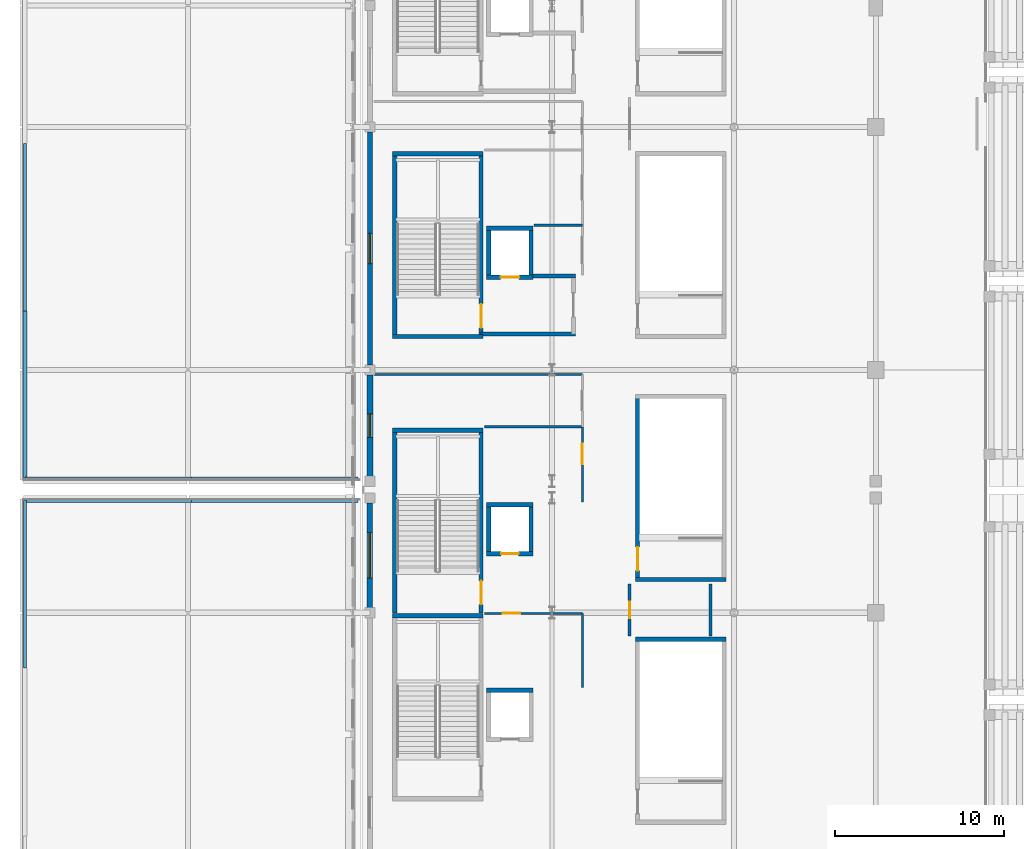
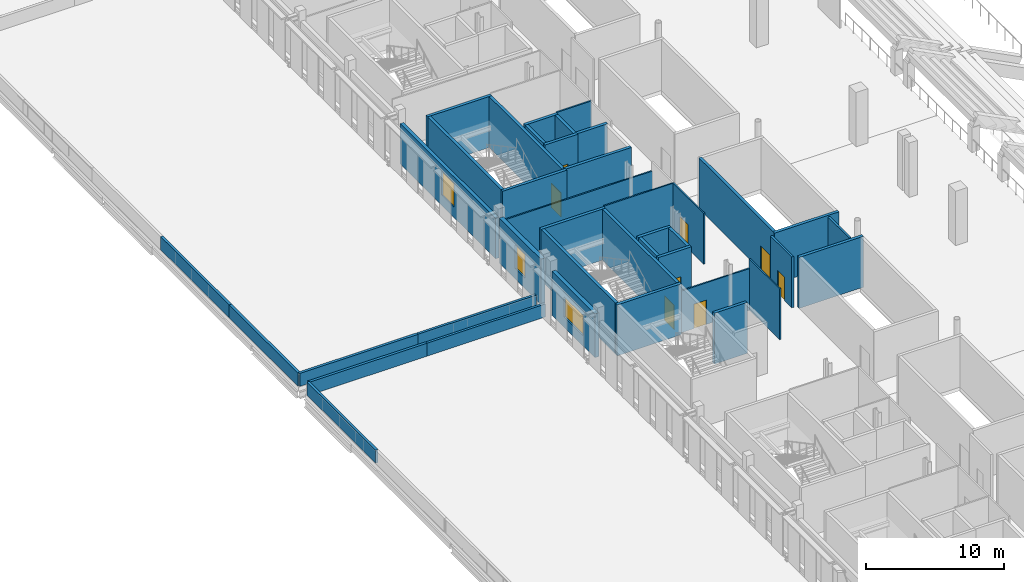
# One storey, part 32 of 74: 40 walls, 8 doors, 3 windows, 11 openings.
"""IFC4 building model written with IfcOpenShell, lengths in metres."""

import ifcopenshell
import ifcopenshell.guid

model = None  # the IFC model being written
_history = None  # IfcOwnerHistory: only IFC2X3 demands one
_inside = {}  # id of a spatial element -> (the spatial element, [elements in it])
_under = {}  # id of a project, library or spatial element -> (it, [spatial elements below it])
_declared = {}  # id of a project -> (the project, [libraries it declares])
_typed = {}  # id of a type object -> (the type object, [elements of that type])
_made_of = {}  # id of a material, layer set ... -> (it, [elements and type objects made of it])


def new_model(schema):
    """Start an empty IFC model of exactly this schema.

    Asked for "IFC4X3", IfcOpenShell would pick the latest addendum, in which some entities
    have other attributes; the version numbers below select the first issue.
    IFC2X3 requires an IfcOwnerHistory on every rooted entity: one is made here for all.
    """
    global model, _history
    if schema == "IFC4X3":
        model = ifcopenshell.file(schema_version=(4, 3, 0, 0))
    else:
        model = ifcopenshell.file(schema=schema)
    _inside.clear()
    _under.clear()
    _declared.clear()
    _typed.clear()
    _made_of.clear()
    _history = None
    if model.schema == "IFC2X3":
        org = make("IfcOrganization", Name="unknown")
        user = make(
            "IfcPersonAndOrganization",
            ThePerson=make("IfcPerson", FamilyName="unknown"),
            TheOrganization=org,
        )
        app = make(
            "IfcApplication",
            ApplicationDeveloper=org,
            Version="unknown",
            ApplicationFullName="unknown",
            ApplicationIdentifier="unknown",
        )
        _history = make(
            "IfcOwnerHistory",
            OwningUser=user,
            OwningApplication=app,
            ChangeAction="ADDED",
            CreationDate=0,
        )
    return model


def make(cls, **values):
    """One entity of the class cls with the attributes given. An attribute that is None is left unset."""
    return model.create_entity(
        cls, **{name: value for name, value in values.items() if value is not None}
    )


def rooted(cls, **values):
    """An entity with a GlobalId (a new one), such as an element, a storey or a relation."""
    return make(cls, GlobalId=ifcopenshell.guid.new(), OwnerHistory=_history, **values)


def si_unit(unit_type, name, prefix=None):
    """IfcSIUnit, for example si_unit("LENGTHUNIT", "METRE", prefix="MILLI")."""
    return make("IfcSIUnit", UnitType=unit_type, Prefix=prefix, Name=name)


def assignment(units):
    """IfcUnitAssignment: the units of a project."""
    return None if units is None else make("IfcUnitAssignment", Units=units)


def point(xyz):
    """IfcCartesianPoint."""
    return None if xyz is None else make("IfcCartesianPoint", Coordinates=xyz)


def direction(xyz):
    """IfcDirection."""
    return None if xyz is None else make("IfcDirection", DirectionRatios=xyz)


def frame(location, z_axis=None, x_axis=None):
    """IfcAxis2Placement3D, a coordinate frame: its origin and axes. An axis left out is left unset."""
    return make(
        "IfcAxis2Placement3D",
        Location=point(location),
        Axis=direction(z_axis),
        RefDirection=direction(x_axis),
    )


def frame_2d(location, x_axis=None):
    """IfcAxis2Placement2D, a coordinate frame in the plane: its origin and x axis."""
    return make(
        "IfcAxis2Placement2D", Location=point(location), RefDirection=direction(x_axis)
    )


def origin():
    """The frame at (0, 0, 0) with its axes left unset."""
    return frame((0.0, 0.0, 0.0))


def place(relative_to, where):
    """IfcLocalPlacement: puts the frame where relative to a parent placement (None: the world)."""
    return make(
        "IfcLocalPlacement", PlacementRelTo=relative_to, RelativePlacement=where
    )


def context(
    kind, dimensions, precision=None, world=None, true_north=None, identifier=None
):
    """IfcGeometricRepresentationContext, for example the 3D "Model" context."""
    return make(
        "IfcGeometricRepresentationContext",
        ContextIdentifier=identifier,
        ContextType=kind,
        CoordinateSpaceDimension=dimensions,
        Precision=precision,
        WorldCoordinateSystem=world,
        TrueNorth=true_north,
    )


def subcontext(parent, identifier, kind, view, scale=None):
    """IfcGeometricRepresentationSubContext, for example "Body" below "Model"."""
    return make(
        "IfcGeometricRepresentationSubContext",
        ContextIdentifier=identifier,
        ContextType=kind,
        ParentContext=parent,
        TargetScale=scale,
        TargetView=view,
    )


def project(units=None, contexts=None):
    """IfcProject with its units and contexts."""
    return rooted(
        "IfcProject",
        Name="project",
        RepresentationContexts=contexts,
        UnitsInContext=assignment(units),
    )


def spatial(cls, under=None, at=None, **own):
    """A site, building, storey or space (cls), placed at a placement, below another one or the project."""
    s = rooted(cls, ObjectPlacement=at, **own)
    if under is not None:
        _under.setdefault(under.id(), (under, []))[1].append(s)
    return s


def profile(cls, at=None, kind="AREA", **sizes):
    """A parametric profile (cls). Its sizes go by their IFC names, for example OverallWidth=200.0."""
    return make(cls, ProfileType=kind, Position=at, **sizes)


def rectangle(**sizes):
    """IfcRectangleProfileDef."""
    return profile("IfcRectangleProfileDef", **sizes)


def extrude(swept, where, along, depth):
    """IfcExtrudedAreaSolid: the profile swept, set in the frame where, extruded along a direction by depth."""
    return make(
        "IfcExtrudedAreaSolid",
        SweptArea=swept,
        Position=where,
        ExtrudedDirection=direction(along),
        Depth=depth,
    )


def shape(context_of_items, identifier, shape_type, items):
    """IfcShapeRepresentation: the items that make up one representation, for example the "Body"."""
    return make(
        "IfcShapeRepresentation",
        ContextOfItems=context_of_items,
        RepresentationIdentifier=identifier,
        RepresentationType=shape_type,
        Items=items,
    )


def material(Name=None, Category=None):
    """IfcMaterial."""
    return make("IfcMaterial", Name=Name, Category=Category)


def layer(
    of_material, thickness, ventilated=None, Name=None, Category=None, Priority=None
):
    """IfcMaterialLayer: one layer of a wall or slab, of a material (None: an air gap)."""
    return make(
        "IfcMaterialLayer",
        Material=of_material,
        LayerThickness=thickness,
        IsVentilated=ventilated,
        Name=Name,
        Category=Category,
        Priority=Priority,
    )


def layer_set(layers, Name=None):
    """IfcMaterialLayerSet."""
    return make("IfcMaterialLayerSet", MaterialLayers=layers, LayerSetName=Name)


def made_of(thing, what):
    """Note that an element or type object is made of a material, layer set ...; save() writes the relation."""
    if what is not None:
        _made_of.setdefault(what.id(), (what, []))[1].append(thing)
    return thing


def type_object(cls, material=None, **own):
    """A type object (cls), such as IfcWallType, which elements share."""
    return made_of(rooted(cls, **own), material)


def element(
    cls,
    number,
    at=None,
    inside=None,
    cuts=None,
    type_object=None,
    material=None,
    context=None,
    identifier="Body",
    shape_type=None,
    held_by="IfcProductDefinitionShape",
    body=None,
    shapes=None,
    **own,
):
    """One element of the class cls, such as IfcWall. Its Tag is "e" and its number.

    at: its placement. inside: the storey or other place that contains it. cuts: it is an
    opening in that element (IfcRelVoidsElement). A single representation is given by context,
    identifier, shape_type and body (its items); several are given by shapes. held_by: the class
    of the entity that holds the representations. save() writes the other relations.
    """
    e = rooted(cls, Tag="e%d" % number, ObjectPlacement=at, **own)
    if body is not None:
        shapes = [shape(context, identifier, shape_type, body)]
    if shapes is not None:
        e.Representation = make(held_by, Representations=shapes)
    if inside is not None:
        _inside.setdefault(inside.id(), (inside, []))[1].append(e)
    if cuts is not None:
        rooted(
            "IfcRelVoidsElement", RelatingBuildingElement=cuts, RelatedOpeningElement=e
        )
    if type_object is not None:
        _typed.setdefault(type_object.id(), (type_object, []))[1].append(e)
    return made_of(e, material)


def fill(opening, filler):
    """IfcRelFillsElement: the door or window that sits in an opening."""
    return rooted(
        "IfcRelFillsElement",
        RelatingOpeningElement=opening,
        RelatedBuildingElement=filler,
    )


def aggregate(whole, parts):
    """IfcRelAggregates: a whole, such as a stair, and the parts it consists of."""
    return rooted("IfcRelAggregates", RelatingObject=whole, RelatedObjects=parts)


def save(model, path):
    """Write the relations noted so far, then the file.

    IfcRelAggregates (storeys below a building ...), IfcRelContainedInSpatialStructure (elements
    in a storey), IfcRelDefinesByType, IfcRelAssociatesMaterial and IfcRelDeclares: one each for
    every whole, place, type object, material and project.
    """
    for whole, parts in _under.values():
        aggregate(whole, parts)
    for where, things in _inside.values():
        rooted(
            "IfcRelContainedInSpatialStructure",
            RelatedElements=things,
            RelatingStructure=where,
        )
    for kind, things in _typed.values():
        rooted("IfcRelDefinesByType", RelatedObjects=things, RelatingType=kind)
    for what, things in _made_of.values():
        rooted("IfcRelAssociatesMaterial", RelatedObjects=things, RelatingMaterial=what)
    for by, libraries in _declared.values():
        rooted("IfcRelDeclares", RelatingContext=by, RelatedDefinitions=libraries)
    model.write(path)


model = new_model("IFC4")

# Units and contexts
model_context = context("Model", 3, precision=1e-05, world=origin(), true_north=direction((0.0, 1.0)))
body_context = subcontext(model_context, "Body", "Model", "MODEL_VIEW")
ifc_project = project(units=[si_unit("LENGTHUNIT", "METRE"), si_unit("AREAUNIT", "SQUARE_METRE"), si_unit("VOLUMEUNIT", "CUBIC_METRE"), si_unit("PLANEANGLEUNIT", "RADIAN"), si_unit("MASSUNIT", "GRAM", prefix="KILO")], contexts=[model_context])

# Site, building, storey
site_placement = place(None, origin())
site = spatial("IfcSite", under=ifc_project, at=site_placement, CompositionType="ELEMENT")
building_placement = place(site_placement, origin())
building = spatial("IfcBuilding", under=site, at=building_placement, Name="Koshinbarg Plaza Stadium", CompositionType="ELEMENT")
storey_placement = place(building_placement, frame((0.0, 0.0, 15.0)))
storey = spatial("IfcBuildingStorey", under=building, at=storey_placement, Name="L03", CompositionType="ELEMENT", Elevation=15.0)

# Walls
ifc_material_1 = material(Name="Concrete C40/50", Category="concrete")
ifc_layer_1 = layer(ifc_material_1, 0.25)
ifc_layer_set_1 = layer_set([ifc_layer_1], Name="Concrete C40/50")
wall_type_1 = type_object("IfcWallType", Name="WL-CORE-250", PredefinedType="SHEAR", material=ifc_layer_set_1)
for number, where, z_axis, x_axis, name in (
    (1, (31.320068359375, 68.52490234375, 0.0), (0.0, 0.0, 1.0), (-1.0, 0.0, 0.0), "L03 core stair shear wall C03-far IWL-L03-0070"),
    (2, (31.320068359375, 79.52490234375, 0.0), (0.0, 0.0, 1.0), (-1.0, 0.0, 0.0), "L03 core stair shear wall C04-far IWL-L03-0094"),
):
    element("IfcWall", number, at=place(storey_placement, frame(where, z_axis=z_axis, x_axis=x_axis)), inside=storey, type_object=wall_type_1, Name=name, PredefinedType="SHEAR", context=body_context, shape_type="SweptSolid", body=[
        extrude(rectangle(XDim=5.3701171875, YDim=0.25, at=frame_2d((2.68505859375, 0.0))), origin(), (0.0, 0.0, 1.0), 4.5),
    ])
wall_1_placement = place(storey_placement, frame((26.074951171875, 68.675048828125, 0.0), z_axis=(0.0, 0.0, 1.0), x_axis=(0.0, 1.0, 0.0)))
element("IfcWall", 3, at=wall_1_placement, inside=storey, type_object=wall_type_1, Name="L03 core stair shear wall C04-left IWL-L03-0095", PredefinedType="SHEAR", context=body_context, shape_type="SweptSolid", body=[
    extrude(rectangle(XDim=10.849853515625, YDim=0.25, at=frame_2d((5.4248046875, 0.0))), origin(), (0.0, 0.0, 1.0), 4.5),
])

# Wall, opening, door
wall_2_placement = place(storey_placement, frame((31.195068359375, 68.675048828125, 0.0), z_axis=(0.0, 0.0, 1.0), x_axis=(0.0, 1.0, 0.0)))
wall_2 = element("IfcWall", 4, at=wall_2_placement, inside=storey, type_object=wall_type_1, Name="L03 core stair shear wall C04-right IWL-L03-0096", PredefinedType="SHEAR", context=body_context, shape_type="SweptSolid", body=[
    extrude(rectangle(XDim=10.849853515625, YDim=0.25, at=frame_2d((5.4248046875, 0.0))), origin(), (0.0, 0.0, 1.0), 4.5),
])
opening_1_placement = place(wall_2_placement, frame((0.52001953125, 0.0, 0.0)))
opening_1 = element("IfcOpeningElement", 5, at=opening_1_placement, cuts=wall_2, Name="Opening D-0085", PredefinedType="OPENING", context=body_context, shape_type="SweptSolid", body=[
    extrude(rectangle(XDim=1.39990234375, YDim=2.14990234375, at=frame_2d((0.699951171875, 1.074951171875))), frame((0.0, 0.135009765625, 0.0), z_axis=(0.0, -1.0, 0.0), x_axis=(1.0, 0.0, 0.0)), (0.0, 0.0, 1.0), 0.27001953125),
])
ifc_material_2 = material(Name="Painted galvanized steel fire door", Category="steel")
door_type_1 = type_object("IfcDoorType", Name="DR-STAIR-1400", OperationType="NOTDEFINED", PredefinedType="DOOR", material=ifc_material_2)
door_1_placement = place(opening_1_placement, origin())
door_1 = element("IfcDoor", 6, at=door_1_placement, inside=storey, type_object=door_type_1, Name="L03 exit stair door C04", OperationType="SINGLE_SWING_RIGHT", OverallHeight=2.14990234375, OverallWidth=1.39990234375, PredefinedType="DOOR", context=body_context, shape_type="SweptSolid", body=[
    extrude(rectangle(XDim=1.39990234375, YDim=2.14990234375, at=frame_2d((0.699951171875, 1.074951171875))), frame((0.0, 0.02490234375, 0.0), z_axis=(0.0, -1.0, 0.0), x_axis=(1.0, 0.0, 0.0)), (0.0, 0.0, 1.0), 0.050048828125),
])
fill(opening_1, door_1)

# Walls
for number, where, z_axis, x_axis, name in (
    (7, (25.949951171875, 85.074951171875, 0.0), (0.0, 0.0, 1.0), (1.0, 0.0, 0.0), "L03 core stair shear wall C05-near IWL-L03-0118"),
    (8, (31.320068359375, 95.925048828125, 0.0), (0.0, 0.0, 1.0), (-1.0, 0.0, 0.0), "L03 core stair shear wall C05-far IWL-L03-0119"),
):
    element("IfcWall", number, at=place(storey_placement, frame(where, z_axis=z_axis, x_axis=x_axis)), inside=storey, type_object=wall_type_1, Name=name, PredefinedType="SHEAR", context=body_context, shape_type="SweptSolid", body=[
        extrude(rectangle(XDim=5.3701171875, YDim=0.25, at=frame_2d((2.68505859375, 0.0))), origin(), (0.0, 0.0, 1.0), 4.5),
    ])
wall_3_placement = place(storey_placement, frame((26.074951171875, 85.074951171875, 0.0), z_axis=(0.0, 0.0, 1.0), x_axis=(0.0, 1.0, 0.0)))
element("IfcWall", 9, at=wall_3_placement, inside=storey, type_object=wall_type_1, Name="L03 core stair shear wall C05-left IWL-L03-0120", PredefinedType="SHEAR", context=body_context, shape_type="SweptSolid", body=[
    extrude(rectangle(XDim=10.85009765625, YDim=0.25, at=frame_2d((5.425048828125, 0.0))), origin(), (0.0, 0.0, 1.0), 4.5),
])

# Wall, opening, door
wall_4_placement = place(storey_placement, frame((31.195068359375, 85.074951171875, 0.0), z_axis=(0.0, 0.0, 1.0), x_axis=(0.0, 1.0, 0.0)))
wall_4 = element("IfcWall", 10, at=wall_4_placement, inside=storey, type_object=wall_type_1, Name="L03 core stair shear wall C05-right IWL-L03-0121", PredefinedType="SHEAR", context=body_context, shape_type="SweptSolid", body=[
    extrude(rectangle(XDim=10.85009765625, YDim=0.25, at=frame_2d((5.425048828125, 0.0))), origin(), (0.0, 0.0, 1.0), 4.5),
])
opening_2_placement = place(wall_4_placement, frame((0.52001953125, 0.0, 0.0)))
opening_2 = element("IfcOpeningElement", 11, at=opening_2_placement, cuts=wall_4, Name="Opening D-0092", PredefinedType="OPENING", context=body_context, shape_type="SweptSolid", body=[
    extrude(rectangle(XDim=1.39990234375, YDim=2.14990234375, at=frame_2d((0.699951171875, 1.074951171875))), frame((0.0, 0.135009765625, 0.0), z_axis=(0.0, -1.0, 0.0), x_axis=(1.0, 0.0, 0.0)), (0.0, 0.0, 1.0), 0.27001953125),
])
door_2_placement = place(opening_2_placement, origin())
door_2 = element("IfcDoor", 12, at=door_2_placement, inside=storey, type_object=door_type_1, Name="L03 exit stair door C05", OperationType="SINGLE_SWING_RIGHT", OverallHeight=2.14990234375, OverallWidth=1.39990234375, PredefinedType="DOOR", context=body_context, shape_type="SweptSolid", body=[
    extrude(rectangle(XDim=1.39990234375, YDim=2.14990234375, at=frame_2d((0.699951171875, 1.074951171875))), frame((0.0, 0.02490234375, 0.0), z_axis=(0.0, -1.0, 0.0), x_axis=(1.0, 0.0, 0.0)), (0.0, 0.0, 1.0), 0.050048828125),
])
fill(opening_2, door_2)

# Walls
for number, where, z_axis, x_axis, name in (
    (13, (45.719970703125, 67.125, 0.0), (0.0, 0.0, 1.0), (-1.0, 0.0, 0.0), "L03 vomitory stair shear wall VX03-far IWL-L03-0399"),
    (14, (40.35009765625, 70.675048828125, 0.0), (0.0, 0.0, 1.0), (1.0, 0.0, 0.0), "L03 vomitory stair shear wall VX04-near IWL-L03-0414"),
):
    element("IfcWall", number, at=place(storey_placement, frame(where, z_axis=z_axis, x_axis=x_axis)), inside=storey, type_object=wall_type_1, Name=name, PredefinedType="SHEAR", context=body_context, shape_type="SweptSolid", body=[
        extrude(rectangle(XDim=5.369873046875, YDim=0.25, at=frame_2d((2.68505859375, 0.0))), origin(), (0.0, 0.0, 1.0), 4.5),
    ])

# Wall, opening, door
wall_5_placement = place(storey_placement, frame((40.47509765625, 70.675048828125, 0.0), z_axis=(0.0, 0.0, 1.0), x_axis=(0.0, 1.0, 0.0)))
wall_5 = element("IfcWall", 15, at=wall_5_placement, inside=storey, type_object=wall_type_1, Name="L03 vomitory stair shear wall VX04-left IWL-L03-0416", PredefinedType="SHEAR", context=body_context, shape_type="SweptSolid", body=[
    extrude(rectangle(XDim=10.849853515625, YDim=0.25, at=frame_2d((5.4248046875, 0.0))), origin(), (0.0, 0.0, 1.0), 4.5),
])
opening_3_placement = place(wall_5_placement, frame((0.52001953125, 0.0, 0.0)))
opening_3 = element("IfcOpeningElement", 16, at=opening_3_placement, cuts=wall_5, Name="Opening D-0166", PredefinedType="OPENING", context=body_context, shape_type="SweptSolid", body=[
    extrude(rectangle(XDim=1.39990234375, YDim=2.14990234375, at=frame_2d((0.699951171875, 1.074951171875))), frame((0.0, 0.135009765625, 0.0), z_axis=(0.0, -1.0, 0.0), x_axis=(1.0, 0.0, 0.0)), (0.0, 0.0, 1.0), 0.27001953125),
])
door_3_placement = place(opening_3_placement, frame((1.39990234375, 0.0, 0.0), z_axis=(0.0, 0.0, 1.0), x_axis=(-1.0, 0.0, 0.0)))
door_3 = element("IfcDoor", 17, at=door_3_placement, inside=storey, type_object=door_type_1, Name="L03 vomitory exit stair door VX04", OperationType="SINGLE_SWING_RIGHT", OverallHeight=2.14990234375, OverallWidth=1.39990234375, PredefinedType="DOOR", context=body_context, shape_type="SweptSolid", body=[
    extrude(rectangle(XDim=1.39990234375, YDim=2.14990234375, at=frame_2d((0.699951171875, 1.074951171875))), frame((0.0, 0.02490234375, 0.0), z_axis=(0.0, -1.0, 0.0), x_axis=(1.0, 0.0, 0.0)), (0.0, 0.0, 1.0), 0.050048828125),
])
fill(opening_3, door_3)

# Wall
wall_6_placement = place(storey_placement, frame((34.27490234375, 64.10009765625, 0.0), z_axis=(0.0, 0.0, 1.0), x_axis=(-1.0, 0.0, 0.0)))
element("IfcWall", 18, at=wall_6_placement, inside=storey, type_object=wall_type_1, Name="L03 lift shaft shear wall LP01-N IWL-L03-0721", PredefinedType="SHEAR", context=body_context, shape_type="SweptSolid", body=[
    extrude(rectangle(XDim=2.75, YDim=0.25, at=frame_2d((1.375, 0.0))), origin(), (0.0, 0.0, 1.0), 4.5),
])

# Wall, opening, door
wall_7_placement = place(storey_placement, frame((31.52490234375, 72.199951171875, 0.0), z_axis=(0.0, 0.0, 1.0), x_axis=(1.0, 0.0, 0.0)))
wall_7 = element("IfcWall", 19, at=wall_7_placement, inside=storey, type_object=wall_type_1, Name="L03 lift shaft shear wall LP02-S IWL-L03-0748", PredefinedType="SHEAR", context=body_context, shape_type="SweptSolid", body=[
    extrude(rectangle(XDim=2.75, YDim=0.25, at=frame_2d((1.375, 0.0))), origin(), (0.0, 0.0, 1.0), 4.5),
])
opening_4_placement = place(wall_7_placement, frame((0.85009765625, 0.0, 0.0)))
opening_4 = element("IfcOpeningElement", 20, at=opening_4_placement, cuts=wall_7, Name="Opening D-0253", PredefinedType="OPENING", context=body_context, shape_type="SweptSolid", body=[
    extrude(rectangle(XDim=1.050048828125, YDim=2.14990234375, at=frame_2d((0.52490234375, 1.074951171875))), frame((0.0, 0.135009765625, 0.0), z_axis=(0.0, -1.0, 0.0), x_axis=(1.0, 0.0, 0.0)), (0.0, 0.0, 1.0), 0.27001953125),
])
ifc_material_3 = material(Name="Brushed stainless steel sliding lift landing door", Category="steel")
door_type_2 = type_object("IfcDoorType", Name="DR-LIFT-1050", OperationType="NOTDEFINED", PredefinedType="DOOR", material=ifc_material_3)
door_4_placement = place(opening_4_placement, origin())
door_4 = element("IfcDoor", 21, at=door_4_placement, inside=storey, type_object=door_type_2, Name="L03 lift landing door LP02", OperationType="SLIDING_TO_LEFT", OverallHeight=2.14990234375, OverallWidth=1.050048828125, PredefinedType="DOOR", context=body_context, shape_type="SweptSolid", body=[
    extrude(rectangle(XDim=1.050048828125, YDim=2.14990234375, at=frame_2d((0.52490234375, 1.074951171875))), frame((0.0, 0.02490234375, 0.0), z_axis=(0.0, -1.0, 0.0), x_axis=(1.0, 0.0, 0.0)), (0.0, 0.0, 1.0), 0.050048828125),
])
fill(opening_4, door_4)

# Walls
wall_8_placement = place(storey_placement, frame((34.27490234375, 75.10009765625, 0.0), z_axis=(0.0, 0.0, 1.0), x_axis=(-1.0, 0.0, 0.0)))
element("IfcWall", 22, at=wall_8_placement, inside=storey, type_object=wall_type_1, Name="L03 lift shaft shear wall LP02-N IWL-L03-0749", PredefinedType="SHEAR", context=body_context, shape_type="SweptSolid", body=[
    extrude(rectangle(XDim=2.75, YDim=0.25, at=frame_2d((1.375, 0.0))), origin(), (0.0, 0.0, 1.0), 4.5),
])
for number, where, z_axis, x_axis, name in (
    (23, (31.64990234375, 75.10009765625, 0.0), (0.0, 0.0, 1.0), (0.0, -1.0, 0.0), "L03 lift shaft shear wall LP02-W IWL-L03-0750"),
    (24, (34.14990234375, 72.199951171875, 0.0), (0.0, 0.0, 1.0), (0.0, 1.0, 0.0), "L03 lift shaft shear wall LP02-E IWL-L03-0751"),
):
    element("IfcWall", number, at=place(storey_placement, frame(where, z_axis=z_axis, x_axis=x_axis)), inside=storey, type_object=wall_type_1, Name=name, PredefinedType="SHEAR", context=body_context, shape_type="SweptSolid", body=[
        extrude(rectangle(XDim=2.900146484375, YDim=0.25, at=frame_2d((1.4501953125, 0.0))), origin(), (0.0, 0.0, 1.0), 4.5),
    ])

# Wall, opening, door
wall_9_placement = place(storey_placement, frame((31.52490234375, 88.60009765625, 0.0), z_axis=(0.0, 0.0, 1.0), x_axis=(1.0, 0.0, 0.0)))
wall_9 = element("IfcWall", 25, at=wall_9_placement, inside=storey, type_object=wall_type_1, Name="L03 lift shaft shear wall FL03-S IWL-L03-0785", PredefinedType="SHEAR", context=body_context, shape_type="SweptSolid", body=[
    extrude(rectangle(XDim=2.75, YDim=0.25, at=frame_2d((1.375, 0.0))), origin(), (0.0, 0.0, 1.0), 4.5),
])
opening_5_placement = place(wall_9_placement, frame((0.824951171875, 0.0, 0.0)))
opening_5 = element("IfcOpeningElement", 26, at=opening_5_placement, cuts=wall_9, Name="Opening D-0263", PredefinedType="OPENING", context=body_context, shape_type="SweptSolid", body=[
    extrude(rectangle(XDim=1.10009765625, YDim=2.14990234375, at=frame_2d((0.550048828125, 1.074951171875))), frame((0.0, 0.135009765625, 0.0), z_axis=(0.0, -1.0, 0.0), x_axis=(1.0, 0.0, 0.0)), (0.0, 0.0, 1.0), 0.27001953125),
])
door_type_3 = type_object("IfcDoorType", Name="DR-LIFT-1100", OperationType="NOTDEFINED", PredefinedType="DOOR", material=ifc_material_3)
door_5_placement = place(opening_5_placement, origin())
door_5 = element("IfcDoor", 27, at=door_5_placement, inside=storey, type_object=door_type_3, Name="L03 lift landing door FL03", OperationType="SLIDING_TO_RIGHT", OverallHeight=2.14990234375, OverallWidth=1.10009765625, PredefinedType="DOOR", context=body_context, shape_type="SweptSolid", body=[
    extrude(rectangle(XDim=1.10009765625, YDim=2.14990234375, at=frame_2d((0.550048828125, 1.074951171875))), frame((0.0, 0.02490234375, 0.0), z_axis=(0.0, -1.0, 0.0), x_axis=(1.0, 0.0, 0.0)), (0.0, 0.0, 1.0), 0.050048828125),
])
fill(opening_5, door_5)

# Walls
wall_10_placement = place(storey_placement, frame((34.27490234375, 91.5, 0.0), z_axis=(0.0, 0.0, 1.0), x_axis=(-1.0, 0.0, 0.0)))
element("IfcWall", 28, at=wall_10_placement, inside=storey, type_object=wall_type_1, Name="L03 lift shaft shear wall FL03-N IWL-L03-0786", PredefinedType="SHEAR", context=body_context, shape_type="SweptSolid", body=[
    extrude(rectangle(XDim=2.75, YDim=0.25, at=frame_2d((1.375, 0.0))), origin(), (0.0, 0.0, 1.0), 4.5),
])
for number, where, z_axis, x_axis, name in (
    (29, (31.64990234375, 91.5, 0.0), (0.0, 0.0, 1.0), (0.0, -1.0, 0.0), "L03 lift shaft shear wall FL03-W IWL-L03-0787"),
    (30, (34.14990234375, 88.60009765625, 0.0), (0.0, 0.0, 1.0), (0.0, 1.0, 0.0), "L03 lift shaft shear wall FL03-E IWL-L03-0788"),
):
    element("IfcWall", number, at=place(storey_placement, frame(where, z_axis=z_axis, x_axis=x_axis)), inside=storey, type_object=wall_type_1, Name=name, PredefinedType="SHEAR", context=body_context, shape_type="SweptSolid", body=[
        extrude(rectangle(XDim=2.89990234375, YDim=0.25, at=frame_2d((1.449951171875, 0.0))), origin(), (0.0, 0.0, 1.0), 4.5),
    ])
wall_11_placement = place(storey_placement, frame((34.27490234375, 88.675048828125, 0.0), z_axis=(0.0, 0.0, 1.0), x_axis=(1.0, 0.0, 0.0)))
element("IfcWall", 31, at=wall_11_placement, inside=storey, type_object=wall_type_1, Name="L03 firefighting lobby wall C05-NE IWL-L03-0790", PredefinedType="SHEAR", context=body_context, shape_type="SweptSolid", body=[
    extrude(rectangle(XDim=2.525146484375, YDim=0.25, at=frame_2d((1.2626953125, 0.0))), origin(), (0.0, 0.0, 1.0), 4.5),
])
wall_12_placement = place(storey_placement, frame((31.199951171875, 85.22509765625, 0.0), z_axis=(0.0, 0.0, 1.0), x_axis=(1.0, 0.0, 0.0)))
element("IfcWall", 32, at=wall_12_placement, inside=storey, type_object=wall_type_1, Name="L03 firefighting lobby wall C05-S IWL-L03-0791", PredefinedType="SHEAR", context=body_context, shape_type="SweptSolid", body=[
    extrude(rectangle(XDim=5.60009765625, YDim=0.25, at=frame_2d((2.800048828125, 0.0))), origin(), (0.0, 0.0, 1.0), 4.5),
])

# Wall, opening, window
ifc_material_4 = material(Name="Terracotta-ochre mineral plaster insulated wall", Category="masonry")
ifc_layer_2 = layer(ifc_material_4, 0.280029296875)
ifc_layer_set_2 = layer_set([ifc_layer_2], Name="Terracotta-ochre mineral plaster insulated wall")
wall_type_2 = type_object("IfcWallType", Name="WL-EXT-280", PredefinedType="SOLIDWALL", material=ifc_layer_set_2)
wall_13_placement = place(storey_placement, frame((24.60009765625, 83.39501953125, 0.0), z_axis=(0.0, 0.0, 1.0), x_axis=(0.0, 1.0, 0.0)))
wall_13 = element("IfcWall", 33, at=wall_13_placement, inside=storey, type_object=wall_type_2, Name="L03 exterior envelope wall EWL-L03-0152", PredefinedType="SOLIDWALL", context=body_context, shape_type="SweptSolid", body=[
    extrude(rectangle(XDim=13.81005859375, YDim=0.280029296875, at=frame_2d((6.905029296875, 0.0))), origin(), (0.0, 0.0, 1.0), 3.580078125),
])
opening_6_placement = place(wall_13_placement, frame((6.0048828125, 0.0, 0.89990234375)))
opening_6 = element("IfcOpeningElement", 34, at=opening_6_placement, cuts=wall_13, Name="Opening WN14", PredefinedType="OPENING", context=body_context, shape_type="SweptSolid", body=[
    extrude(rectangle(XDim=1.800048828125, YDim=2.10009765625, at=frame_2d((0.89990234375, 1.050048828125))), frame((0.0, 0.14990234375, 0.0), z_axis=(0.0, -1.0, 0.0), x_axis=(1.0, 0.0, 0.0)), (0.0, 0.0, 1.0), 0.300048828125),
])
ifc_material_5 = material(Name="Solar-control double glazing in thermally broken aluminium frame", Category="aluminium")
window_type_1 = type_object("IfcWindowType", Name="WN-FAC-14", PartitioningType="DOUBLE_PANEL_VERTICAL", PredefinedType="WINDOW", material=ifc_material_5)
window_1_placement = place(opening_6_placement, origin())
window_1 = element("IfcWindow", 35, at=window_1_placement, inside=storey, type_object=window_type_1, Name="L03 facade window 0086", OverallHeight=2.10009765625, OverallWidth=1.800048828125, PartitioningType="SINGLE_PANEL", PredefinedType="WINDOW", context=body_context, shape_type="SweptSolid", body=[
    extrude(rectangle(XDim=1.800048828125, YDim=2.10009765625, at=frame_2d((0.89990234375, 1.050048828125))), frame((0.0, 0.030029296875, 0.0), z_axis=(0.0, -1.0, 0.0), x_axis=(1.0, 0.0, 0.0)), (0.0, 0.0, 1.0), 0.06005859375),
])
fill(opening_6, window_1)

ifc_material_6 = material(Name="Ultramarine-blue pigmented mineral plaster facade wall", Category="masonry")
ifc_layer_3 = layer(ifc_material_6, 0.320068359375)
ifc_layer_set_3 = layer_set([ifc_layer_3], Name="Ultramarine-blue pigmented mineral plaster facade wall")
wall_type_3 = type_object("IfcWallType", Name="WL-EXT-320", PredefinedType="SOLIDWALL", material=ifc_layer_set_3)
wall_14_placement = place(storey_placement, frame((24.60009765625, 68.9951171875, 0.0), z_axis=(0.0, 0.0, 1.0), x_axis=(0.0, 1.0, 0.0)))
wall_14 = element("IfcWall", 36, at=wall_14_placement, inside=storey, type_object=wall_type_3, Name="L03 exterior envelope wall EWL-L03-0150", PredefinedType="SOLIDWALL", context=body_context, shape_type="SweptSolid", body=[
    extrude(rectangle(XDim=6.2099609375, YDim=0.320068359375, at=frame_2d((3.10498046875, 0.0))), origin(), (0.0, 0.0, 1.0), 3.8798828125),
])
opening_7_placement = place(wall_14_placement, frame((1.7548828125, 0.0, 0.89990234375)))
opening_7 = element("IfcOpeningElement", 37, at=opening_7_placement, cuts=wall_14, Name="Opening WN12", PredefinedType="OPENING", context=body_context, shape_type="SweptSolid", body=[
    extrude(rectangle(XDim=2.699951171875, YDim=1.800048828125, at=frame_2d((1.35009765625, 0.89990234375))), frame((0.0, 0.169921875, 0.0), z_axis=(0.0, -1.0, 0.0), x_axis=(1.0, 0.0, 0.0)), (0.0, 0.0, 1.0), 0.340087890625),
])
window_type_2 = type_object("IfcWindowType", Name="WN-FAC-12", PartitioningType="DOUBLE_PANEL_VERTICAL", PredefinedType="WINDOW", material=ifc_material_5)
window_2_placement = place(opening_7_placement, origin())
window_2 = element("IfcWindow", 38, at=window_2_placement, inside=storey, type_object=window_type_2, Name="L03 facade window 0084", OverallHeight=1.800048828125, OverallWidth=2.699951171875, PartitioningType="SINGLE_PANEL", PredefinedType="WINDOW", context=body_context, shape_type="SweptSolid", body=[
    extrude(rectangle(XDim=2.699951171875, YDim=1.800048828125, at=frame_2d((1.35009765625, 0.89990234375))), frame((0.0, 0.030029296875, 0.0), z_axis=(0.0, -1.0, 0.0), x_axis=(1.0, 0.0, 0.0)), (0.0, 0.0, 1.0), 0.06005859375),
])
fill(opening_7, window_2)

ifc_material_7 = material(Name="Acoustic insulated masonry stadium wall", Category="masonry")
ifc_layer_4 = layer(ifc_material_7, 0.35009765625)
ifc_layer_set_4 = layer_set([ifc_layer_4], Name="Acoustic insulated masonry stadium wall")
wall_type_4 = type_object("IfcWallType", Name="WL-EXT-350", PredefinedType="SOLIDWALL", material=ifc_layer_set_4)
wall_15_placement = place(storey_placement, frame((24.60009765625, 76.794921875, 0.0), z_axis=(0.0, 0.0, 1.0), x_axis=(0.0, 1.0, 0.0)))
wall_15 = element("IfcWall", 39, at=wall_15_placement, inside=storey, type_object=wall_type_4, Name="L03 exterior envelope wall EWL-L03-0151", PredefinedType="SOLIDWALL", context=body_context, shape_type="SweptSolid", body=[
    extrude(rectangle(XDim=6.010009765625, YDim=0.35009765625, at=frame_2d((3.0048828125, 0.0))), origin(), (0.0, 0.0, 1.0), 3.97998046875),
])
opening_8_placement = place(wall_15_placement, frame((2.304931640625, 0.0, 0.89990234375)))
opening_8 = element("IfcOpeningElement", 40, at=opening_8_placement, cuts=wall_15, Name="Opening WN13", PredefinedType="OPENING", context=body_context, shape_type="SweptSolid", body=[
    extrude(rectangle(XDim=1.39990234375, YDim=2.10009765625, at=frame_2d((0.699951171875, 1.050048828125))), frame((0.0, 0.18505859375, 0.0), z_axis=(0.0, -1.0, 0.0), x_axis=(1.0, 0.0, 0.0)), (0.0, 0.0, 1.0), 0.3701171875),
])
window_type_3 = type_object("IfcWindowType", Name="WN-FAC-13", PartitioningType="DOUBLE_PANEL_VERTICAL", PredefinedType="WINDOW", material=ifc_material_5)
window_3_placement = place(opening_8_placement, origin())
window_3 = element("IfcWindow", 41, at=window_3_placement, inside=storey, type_object=window_type_3, Name="L03 facade window 0085", OverallHeight=2.10009765625, OverallWidth=1.39990234375, PartitioningType="SINGLE_PANEL", PredefinedType="WINDOW", context=body_context, shape_type="SweptSolid", body=[
    extrude(rectangle(XDim=1.39990234375, YDim=2.10009765625, at=frame_2d((0.699951171875, 1.050048828125))), frame((0.0, 0.030029296875, 0.0), z_axis=(0.0, -1.0, 0.0), x_axis=(1.0, 0.0, 0.0)), (0.0, 0.0, 1.0), 0.06005859375),
])
fill(opening_8, window_3)

# Walls
ifc_material_8 = material(Name="Precast concrete C40/50", Category="concrete")
ifc_layer_5 = layer(ifc_material_8, 0.199951171875)
ifc_layer_set_5 = layer_set([ifc_layer_5], Name="Precast concrete C40/50")
wall_type_5 = type_object("IfcWallType", Name="WL-PAR-200", PredefinedType="PARAPET", material=ifc_layer_set_5)
wall_16_placement = place(storey_placement, frame((14.027587890625, 76.64990234375, 0.0), z_axis=(0.0, 0.0, 1.0), x_axis=(1.0, 0.0, 0.0)))
element("IfcWall", 42, at=wall_16_placement, inside=storey, type_object=wall_type_5, Name="L03 roof garden parapet 002", PredefinedType="PARAPET", context=body_context, shape_type="SweptSolid", body=[
    extrude(rectangle(XDim=9.87744140625, YDim=0.199951171875, at=frame_2d((4.938720703125, 0.0))), origin(), (0.0, 0.0, 1.0), 1.14990234375),
])
wall_17_placement = place(storey_placement, frame((4.14990234375, 96.530029296875, 0.0), z_axis=(0.0, 0.0, 1.0), x_axis=(0.0, -1.0, 0.0)))
element("IfcWall", 43, at=wall_17_placement, inside=storey, type_object=wall_type_5, Name="L03 roof garden parapet 008", PredefinedType="PARAPET", context=body_context, shape_type="SweptSolid", body=[
    extrude(rectangle(XDim=9.93994140625, YDim=0.199951171875, at=frame_2d((4.969970703125, 0.0))), origin(), (0.0, 0.0, 1.0), 1.14990234375),
])
wall_18_placement = place(storey_placement, frame((23.905029296875, 75.35009765625, 0.0), z_axis=(0.0, 0.0, 1.0), x_axis=(-1.0, 0.0, 0.0)))
element("IfcWall", 44, at=wall_18_placement, inside=storey, type_object=wall_type_5, Name="L03 roof garden parapet 012", PredefinedType="PARAPET", context=body_context, shape_type="SweptSolid", body=[
    extrude(rectangle(XDim=9.87744140625, YDim=0.199951171875, at=frame_2d((4.938720703125, 0.0))), origin(), (0.0, 0.0, 1.0), 1.14990234375),
])
wall_19_placement = place(storey_placement, frame((4.14990234375, 75.35009765625, 0.0), z_axis=(0.0, 0.0, 1.0), x_axis=(0.0, -1.0, 0.0)))
element("IfcWall", 45, at=wall_19_placement, inside=storey, type_object=wall_type_5, Name="L03 roof garden parapet 014", PredefinedType="PARAPET", context=body_context, shape_type="SweptSolid", body=[
    extrude(rectangle(XDim=9.940185546875, YDim=0.199951171875, at=frame_2d((4.97021484375, 0.0))), origin(), (0.0, 0.0, 1.0), 1.14990234375),
])
ifc_layer_6 = layer(ifc_material_8, 0.219970703125)
ifc_layer_set_6 = layer_set([ifc_layer_6], Name="Precast concrete C40/50")
wall_type_6 = type_object("IfcWallType", Name="WL-PAR-220", PredefinedType="PARAPET", material=ifc_layer_set_6)
wall_20_placement = place(storey_placement, frame((4.14990234375, 76.64990234375, 0.0), z_axis=(0.0, 0.0, 1.0), x_axis=(1.0, 0.0, 0.0)))
element("IfcWall", 46, at=wall_20_placement, inside=storey, type_object=wall_type_6, Name="L03 roof garden parapet 001", PredefinedType="PARAPET", context=body_context, shape_type="SweptSolid", body=[
    extrude(rectangle(XDim=9.877685546875, YDim=0.219970703125, at=frame_2d((4.93896484375, 0.0))), origin(), (0.0, 0.0, 1.0), 1.14990234375),
])
wall_21_placement = place(storey_placement, frame((4.14990234375, 86.590087890625, 0.0), z_axis=(0.0, 0.0, 1.0), x_axis=(0.0, -1.0, 0.0)))
element("IfcWall", 47, at=wall_21_placement, inside=storey, type_object=wall_type_6, Name="L03 roof garden parapet 009", PredefinedType="PARAPET", context=body_context, shape_type="SweptSolid", body=[
    extrude(rectangle(XDim=9.940185546875, YDim=0.219970703125, at=frame_2d((4.97021484375, 0.0))), origin(), (0.0, 0.0, 1.0), 1.14990234375),
])
wall_22_placement = place(storey_placement, frame((14.027587890625, 75.35009765625, 0.0), z_axis=(0.0, 0.0, 1.0), x_axis=(-1.0, 0.0, 0.0)))
element("IfcWall", 48, at=wall_22_placement, inside=storey, type_object=wall_type_6, Name="L03 roof garden parapet 013", PredefinedType="PARAPET", context=body_context, shape_type="SweptSolid", body=[
    extrude(rectangle(XDim=9.877685546875, YDim=0.219970703125, at=frame_2d((4.93896484375, 0.0))), origin(), (0.0, 0.0, 1.0), 1.14990234375),
])
ifc_material_9 = material(Name="Gypsum board metal-stud acoustic partition")
ifc_layer_7 = layer(ifc_material_9, 0.1201171875)
ifc_layer_set_7 = layer_set([ifc_layer_7], Name="Gypsum board metal-stud acoustic partition")
wall_type_7 = type_object("IfcWallType", Name="WL-PART-120", PredefinedType="PARTITIONING", material=ifc_layer_set_7)
wall_23_placement = place(storey_placement, frame((37.199951171875, 64.280029296875, 0.0), z_axis=(0.0, 0.0, 1.0), x_axis=(0.0, 1.0, 0.0)))
element("IfcWall", 49, at=wall_23_placement, inside=storey, type_object=wall_type_7, Name="L03 interior partition L03-70-east IWL-L03-1936", PredefinedType="PARTITIONING", context=body_context, shape_type="SweptSolid", body=[
    extrude(rectangle(XDim=4.389892578125, YDim=0.1201171875, at=frame_2d((2.19482421875, 0.0))), origin(), (0.0, 0.0, 1.0), 4.5),
])

# Wall, opening, door
wall_24_placement = place(storey_placement, frame((37.199951171875, 68.669921875, 0.0), z_axis=(0.0, 0.0, 1.0), x_axis=(-1.0, 0.0, 0.0)))
wall_24 = element("IfcWall", 50, at=wall_24_placement, inside=storey, type_object=wall_type_7, Name="L03 interior partition L03-70-north IWL-L03-1937", PredefinedType="PARTITIONING", context=body_context, shape_type="SweptSolid", body=[
    extrude(rectangle(XDim=5.800048828125, YDim=0.1201171875, at=frame_2d((2.89990234375, 0.0))), origin(), (0.0, 0.0, 1.0), 3.679931640625),
])
opening_9_placement = place(wall_24_placement, frame((3.6708984375, 0.0, 0.0)))
opening_9 = element("IfcOpeningElement", 51, at=opening_9_placement, cuts=wall_24, Name="Opening D-0660", PredefinedType="OPENING", context=body_context, shape_type="SweptSolid", body=[
    extrude(rectangle(XDim=1.050048828125, YDim=2.14990234375, at=frame_2d((0.52490234375, 1.074951171875))), frame((0.0, 0.070068359375, 0.0), z_axis=(0.0, -1.0, 0.0), x_axis=(1.0, 0.0, 0.0)), (0.0, 0.0, 1.0), 0.14013671875),
])
ifc_material_10 = material(Name="Solid-core oak suite entrance door")
door_type_4 = type_object("IfcDoorType", Name="DR-INT-1050x2150", OperationType="NOTDEFINED", PredefinedType="DOOR", material=ifc_material_10)
door_6_placement = place(opening_9_placement, origin())
door_6 = element("IfcDoor", 52, at=door_6_placement, inside=storey, type_object=door_type_4, Name="L03 Concourse Beverage Kiosk door D-0660", OperationType="SINGLE_SWING_RIGHT", OverallHeight=2.14990234375, OverallWidth=1.050048828125, PredefinedType="DOOR", context=body_context, shape_type="SweptSolid", body=[
    extrude(rectangle(XDim=1.050048828125, YDim=2.14990234375, at=frame_2d((0.52490234375, 1.074951171875))), frame((0.0, 0.02490234375, 0.0), z_axis=(0.0, -1.0, 0.0), x_axis=(1.0, 0.0, 0.0)), (0.0, 0.0, 1.0), 0.050048828125),
])
fill(opening_9, door_6)

# Wall
wall_25_placement = place(storey_placement, frame((37.199951171875, 82.830078125, 0.0), z_axis=(0.0, 0.0, 1.0), x_axis=(-1.0, 0.0, 0.0)))
element("IfcWall", 53, at=wall_25_placement, inside=storey, type_object=wall_type_7, Name="L03 interior partition L03-71-north IWL-L03-1939", PredefinedType="PARTITIONING", context=body_context, shape_type="SweptSolid", body=[
    extrude(rectangle(XDim=12.35498046875, YDim=0.1201171875, at=frame_2d((6.177490234375, 0.0))), origin(), (0.0, 0.0, 1.0), 3.679931640625),
])

# Wall, opening, door
wall_26_placement = place(storey_placement, frame((37.199951171875, 75.280029296875, 0.0), z_axis=(0.0, 0.0, 1.0), x_axis=(0.0, 1.0, 0.0)))
wall_26 = element("IfcWall", 54, at=wall_26_placement, inside=storey, type_object=wall_type_7, Name="L03 interior partition L03-72-east IWL-L03-1940", PredefinedType="PARTITIONING", context=body_context, shape_type="SweptSolid", body=[
    extrude(rectangle(XDim=4.449951171875, YDim=0.1201171875, at=frame_2d((2.22509765625, 0.0))), origin(), (0.0, 0.0, 1.0), 4.5),
])
opening_10_placement = place(wall_26_placement, frame((2.237060546875, 0.0, 0.0)))
opening_10 = element("IfcOpeningElement", 55, at=opening_10_placement, cuts=wall_26, Name="Opening D-0662", PredefinedType="OPENING", context=body_context, shape_type="SweptSolid", body=[
    extrude(rectangle(XDim=1.199951171875, YDim=2.14990234375, at=frame_2d((0.60009765625, 1.074951171875))), frame((0.0, 0.070068359375, 0.0), z_axis=(0.0, -1.0, 0.0), x_axis=(1.0, 0.0, 0.0)), (0.0, 0.0, 1.0), 0.14013671875),
])
ifc_material_11 = material(Name="Solid-core hardwood leaf in painted steel frame", Category="steel")
door_type_5 = type_object("IfcDoorType", Name="DR-INT-1200x2150", OperationType="NOTDEFINED", PredefinedType="DOOR", material=ifc_material_11)
door_7_placement = place(opening_10_placement, origin())
door_7 = element("IfcDoor", 56, at=door_7_placement, inside=storey, type_object=door_type_5, Name="L03 West Family Cafe Hall door D-0662", OperationType="SINGLE_SWING_RIGHT", OverallHeight=2.14990234375, OverallWidth=1.199951171875, PredefinedType="DOOR", context=body_context, shape_type="SweptSolid", body=[
    extrude(rectangle(XDim=1.199951171875, YDim=2.14990234375, at=frame_2d((0.60009765625, 1.074951171875))), frame((0.0, 0.02490234375, 0.0), z_axis=(0.0, -1.0, 0.0), x_axis=(1.0, 0.0, 0.0)), (0.0, 0.0, 1.0), 0.050048828125),
])
fill(opening_10, door_7)

# Walls
wall_27_placement = place(storey_placement, frame((37.199951171875, 79.72998046875, 0.0), z_axis=(0.0, 0.0, 1.0), x_axis=(-1.0, 0.0, 0.0)))
element("IfcWall", 57, at=wall_27_placement, inside=storey, type_object=wall_type_7, Name="L03 interior partition L03-72-north IWL-L03-1941", PredefinedType="PARTITIONING", context=body_context, shape_type="SweptSolid", body=[
    extrude(rectangle(XDim=5.800048828125, YDim=0.1201171875, at=frame_2d((2.89990234375, 0.0))), origin(), (0.0, 0.0, 1.0), 4.5),
])
wall_28_placement = place(storey_placement, frame((37.199951171875, 91.679931640625, 0.0), z_axis=(0.0, 0.0, 1.0), x_axis=(-1.0, 0.0, 0.0)))
element("IfcWall", 58, at=wall_28_placement, inside=storey, type_object=wall_type_7, Name="L03 interior partition L03-75-north IWL-L03-1947", PredefinedType="PARTITIONING", context=body_context, shape_type="SweptSolid", body=[
    extrude(rectangle(XDim=2.869873046875, YDim=0.1201171875, at=frame_2d((1.43505859375, 0.0))), origin(), (0.0, 0.0, 1.0), 4.5),
])
ifc_material_12 = material(Name="Moisture-resistant tiled sanitary partition")
ifc_layer_8 = layer(ifc_material_12, 0.179931640625)
ifc_layer_set_8 = layer_set([ifc_layer_8], Name="Moisture-resistant tiled sanitary partition")
wall_type_8 = type_object("IfcWallType", Name="WL-PART-180", PredefinedType="PARTITIONING", material=ifc_layer_set_8)
wall_29_placement = place(storey_placement, frame((44.800048828125, 67.330078125, 0.0), z_axis=(0.0, 0.0, 1.0), x_axis=(0.0, 1.0, 0.0)))
element("IfcWall", 59, at=wall_29_placement, inside=storey, type_object=wall_type_8, Name="L03 interior partition L03-58-east IWL-L03-1921", PredefinedType="PARTITIONING", context=body_context, shape_type="SweptSolid", body=[
    extrude(rectangle(XDim=3.06982421875, YDim=0.179931640625, at=frame_2d((1.534912109375, 0.0))), origin(), (0.0, 0.0, 1.0), 4.5),
])

# Wall, opening, door
wall_30_placement = place(storey_placement, frame((40.0, 70.39990234375, 0.0), z_axis=(0.0, 0.0, 1.0), x_axis=(0.0, -1.0, 0.0)))
wall_30 = element("IfcWall", 60, at=wall_30_placement, inside=storey, type_object=wall_type_8, Name="L03 interior partition L03-58-west IWL-L03-1922", PredefinedType="PARTITIONING", context=body_context, shape_type="SweptSolid", body=[
    extrude(rectangle(XDim=3.06982421875, YDim=0.179931640625, at=frame_2d((1.534912109375, 0.0))), origin(), (0.0, 0.0, 1.0), 4.5),
])
opening_11_placement = place(wall_30_placement, frame((1.034912109375, 0.0, 0.0)))
opening_11 = element("IfcOpeningElement", 61, at=opening_11_placement, cuts=wall_30, Name="Opening D-0652", PredefinedType="OPENING", context=body_context, shape_type="SweptSolid", body=[
    extrude(rectangle(XDim=1.0, YDim=2.10009765625, at=frame_2d((0.5, 1.050048828125))), frame((0.0, 0.099853515625, 0.0), z_axis=(0.0, -1.0, 0.0), x_axis=(1.0, 0.0, 0.0)), (0.0, 0.0, 1.0), 0.199951171875),
])
ifc_material_13 = material(Name="Solid-core laminate accessible WC door")
door_type_6 = type_object("IfcDoorType", Name="DR-INT-1000x2100", OperationType="NOTDEFINED", PredefinedType="DOOR", material=ifc_material_13)
door_8_placement = place(opening_11_placement, origin())
door_8 = element("IfcDoor", 62, at=door_8_placement, inside=storey, type_object=door_type_6, Name="L03 Accessible WC 1 door D-0652", OperationType="SINGLE_SWING_RIGHT", OverallHeight=2.10009765625, OverallWidth=1.0, PredefinedType="DOOR", context=body_context, shape_type="SweptSolid", body=[
    extrude(rectangle(XDim=1.0, YDim=2.10009765625, at=frame_2d((0.5, 1.050048828125))), frame((0.0, 0.02490234375, 0.0), z_axis=(0.0, -1.0, 0.0), x_axis=(1.0, 0.0, 0.0)), (0.0, 0.0, 1.0), 0.050048828125),
])
fill(opening_11, door_8)

save(model, "model.ifc")
